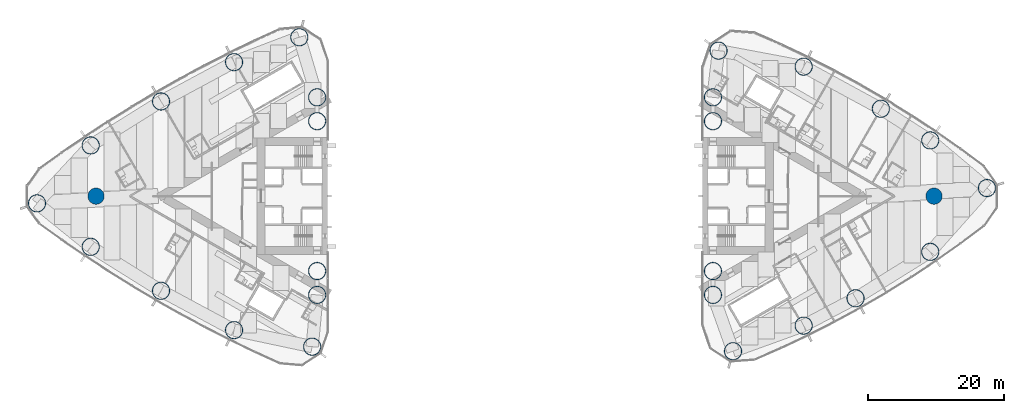
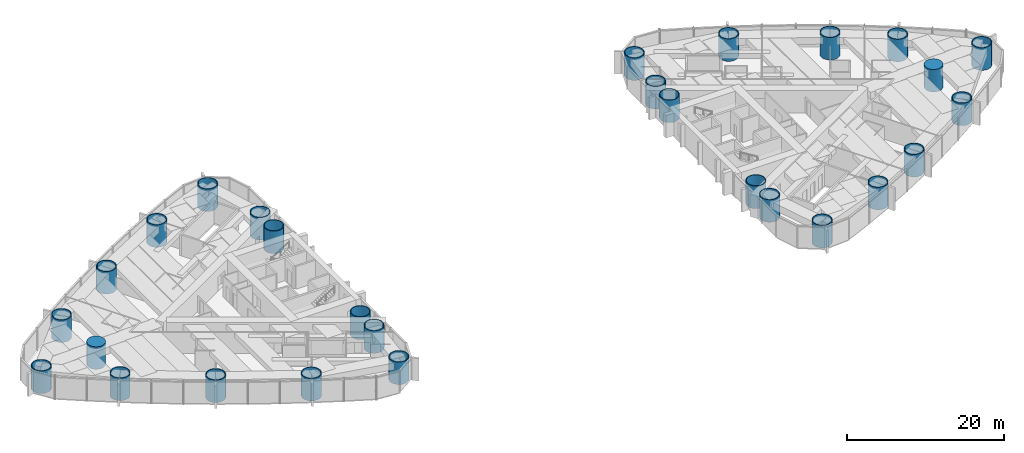
# One storey, part 1 of 19: 28 columns.
"""IFC4 building model written with IfcOpenShell, lengths in metres."""

from ifc_helpers import new_model, si_unit, direction, frame, origin, origin_2d, place, context, subcontext, project, spatial, circle, hollow_circle, extrude, material, material_profile, profile_set, type_object, element, save


model = new_model("IFC4")

# Units and contexts
model_context = context("Model", 3, precision=1e-05, world=origin(), true_north=direction((0.0, 1.0)))
body_context = subcontext(model_context, "Body", "Model", "MODEL_VIEW")
ifc_project = project(units=[si_unit("LENGTHUNIT", "METRE"), si_unit("AREAUNIT", "SQUARE_METRE"), si_unit("VOLUMEUNIT", "CUBIC_METRE"), si_unit("PLANEANGLEUNIT", "RADIAN"), si_unit("MASSUNIT", "GRAM", prefix="KILO")], contexts=[model_context])

# Site, building, storey
site_placement = place(None, origin())
site = spatial("IfcSite", under=ifc_project, at=site_placement, CompositionType="ELEMENT")
building_placement = place(site_placement, origin())
building = spatial("IfcBuilding", under=site, at=building_placement, Name="Lancet Gate Hotel", CompositionType="ELEMENT")
storey_placement = place(building_placement, frame((0.0, 0.0, 122.10009765625)))
storey = spatial("IfcBuildingStorey", under=building, at=storey_placement, Name="L32", CompositionType="ELEMENT", Elevation=122.10009765625)

# Columns
ifc_material_1 = material(Name="Concrete C80/95", Category="concrete")
ifc_material_profile_1 = material_profile(ifc_material_1, circle(Radius=1.199951171875, at=origin_2d()), Name="RC D2400")
ifc_profile_set_1 = profile_set([ifc_material_profile_1], Name="Concrete C80/95")
column_type_1 = type_object("IfcColumnType", Name="Apex column RC D2400", PredefinedType="COLUMN", material=ifc_profile_set_1)
for number, where, z_axis, x_axis, name in (
    (1, (-61.5, 0.0, 0.0), (0.0, 0.0, 1.0), (1.0, 0.0, 0.0), "T1 column AX L32"),
    (2, (61.5, 0.0, 0.0), (0.0, 0.0, 1.0), (1.0, 0.0, 0.0), "T2 column AX L32"),
):
    element("IfcColumn", number, at=place(storey_placement, frame(where, z_axis=z_axis, x_axis=x_axis)), inside=storey, type_object=column_type_1, Name=name, PredefinedType="COLUMN", context=body_context, shape_type="SweptSolid", body=[
        extrude(circle(Radius=1.199951171875, at=origin_2d()), origin(), (0.0, 0.0, 1.0), 3.5),
    ])
ifc_material_2 = material(Name="Composite filled tube, grade 460 plate, grade 80/95 fill", Category="composite")
ifc_material_profile_2 = material_profile(ifc_material_2, hollow_circle(Radius=1.300048828125, WallThickness=0.10009765625, at=origin_2d()), Name="CHS 2600x100")
ifc_profile_set_2 = profile_set([ifc_material_profile_2], Name="Composite filled tube, grade 460 plate, grade 80/95 fill")
column_type_2 = type_object("IfcColumnType", Name="Apex corner column CFT CHS 2600x100", PredefinedType="COLUMN", material=ifc_profile_set_2)
for number, where, z_axis, x_axis, name in (
    (3, (-70.16796875, -1.06005859375, 0.0), (0.0, 0.0, 1.0), (1.0, 0.0, 0.0), "T1 column CA L32"),
    (4, (69.268798828125, 1.1865234375, 0.0), (0.0, 0.0, 1.0), (1.0, 0.0, 0.0), "T2 column CA L32"),
):
    element("IfcColumn", number, at=place(storey_placement, frame(where, z_axis=z_axis, x_axis=x_axis)), inside=storey, type_object=column_type_2, Name=name, PredefinedType="COLUMN", context=body_context, shape_type="SweptSolid", body=[
        extrude(hollow_circle(Radius=1.300048828125, WallThickness=0.10009765625, at=origin_2d()), origin(), (0.0, 0.0, 1.0), 3.5),
    ])
ifc_material_3 = material(Name="Composite filled tube, grade 460 plate, grade 80/95 fill", Category="composite")
ifc_material_profile_3 = material_profile(ifc_material_3, hollow_circle(Radius=1.300048828125, WallThickness=0.10009765625, at=origin_2d()), Name="CHS 2600x100")
ifc_profile_set_3 = profile_set([ifc_material_profile_3], Name="Composite filled tube, grade 460 plate, grade 80/95 fill")
column_type_3 = type_object("IfcColumnType", Name="Perimeter column CFT CHS 2600x100", PredefinedType="COLUMN", material=ifc_profile_set_3)
for number, where, z_axis, x_axis, name in (
    (5, (-29.781005859375, -22.0947265625, 0.0), (0.0, 0.0, 1.0), (1.0, 0.0, 0.0), "T1 column CN L32"),
    (6, (-31.66455078125, 23.318359375, 0.0), (0.0, 0.0, 1.0), (1.0, 0.0, 0.0), "T1 column CS L32"),
    (7, (-29.050048828125, -11.0, 0.0), (0.0, 0.0, 1.0), (1.0, 0.0, 0.0), "T1 column IN L32"),
    (8, (-29.050048828125, 11.0, 0.0), (0.0, 0.0, 1.0), (1.0, 0.0, 0.0), "T1 column IS L32"),
    (9, (-29.050048828125, 14.5, 0.0), (0.0, 0.0, 1.0), (1.0, 0.0, 0.0), "T1 column IT L32"),
    (10, (-29.050048828125, -14.5, 0.0), (0.0, 0.0, 1.0), (1.0, 0.0, 0.0), "T1 column JT L32"),
    (11, (-62.28662109375, -7.444580078125, 0.0), (0.0, 0.0, 1.0), (1.0, 0.0, 0.0), "T1 column ON1 L32"),
    (12, (-51.963134765625, -13.89501953125, 0.0), (0.0, 0.0, 1.0), (1.0, 0.0, 0.0), "T1 column ON2 L32"),
    (13, (-41.244873046875, -19.665771484375, 0.0), (0.0, 0.0, 1.0), (1.0, 0.0, 0.0), "T1 column ON3 L32"),
    (14, (-41.244873046875, 19.665771484375, 0.0), (0.0, 0.0, 1.0), (1.0, 0.0, 0.0), "T1 column OS1 L32"),
    (15, (-51.963134765625, 13.89501953125, 0.0), (0.0, 0.0, 1.0), (1.0, 0.0, 0.0), "T1 column OS2 L32"),
    (16, (-62.28662109375, 7.444580078125, 0.0), (0.0, 0.0, 1.0), (1.0, 0.0, 0.0), "T1 column OS3 L32"),
    (17, (29.8720703125, 21.35498046875, 0.0), (0.0, 0.0, 1.0), (1.0, 0.0, 0.0), "T2 column CN L32"),
    (18, (31.99609375, -22.76318359375, 0.0), (0.0, 0.0, 1.0), (1.0, 0.0, 0.0), "T2 column CS L32"),
    (19, (29.050048828125, 11.0, 0.0), (0.0, 0.0, 1.0), (1.0, 0.0, 0.0), "T2 column IN L32"),
    (20, (29.050048828125, -11.0, 0.0), (0.0, 0.0, 1.0), (1.0, 0.0, 0.0), "T2 column IS L32"),
    (21, (29.050048828125, -14.5, 0.0), (0.0, 0.0, 1.0), (1.0, 0.0, 0.0), "T2 column IT L32"),
    (22, (29.050048828125, 14.5, 0.0), (0.0, 0.0, 1.0), (1.0, 0.0, 0.0), "T2 column JT L32"),
    (23, (60.940673828125, 8.18115234375, 0.0), (0.0, 0.0, 1.0), (1.0, 0.0, 0.0), "T2 column ON1 L32"),
    (24, (53.697021484375, 12.827392578125, 0.0), (0.0, 0.0, 1.0), (1.0, 0.0, 0.0), "T2 column ON2 L32"),
    (25, (42.3662109375, 19.007080078125, 0.0), (0.0, 0.0, 1.0), (1.0, 0.0, 0.0), "T2 column ON3 L32"),
    (26, (42.3662109375, -19.007080078125, 0.0), (0.0, 0.0, 1.0), (1.0, 0.0, 0.0), "T2 column OS1 L32"),
    (27, (49.97900390625, -14.994384765625, 0.0), (0.0, 0.0, 1.0), (1.0, 0.0, 0.0), "T2 column OS2 L32"),
    (28, (60.940673828125, -8.18115234375, 0.0), (0.0, 0.0, 1.0), (1.0, 0.0, 0.0), "T2 column OS3 L32"),
):
    element("IfcColumn", number, at=place(storey_placement, frame(where, z_axis=z_axis, x_axis=x_axis)), inside=storey, type_object=column_type_3, Name=name, PredefinedType="COLUMN", context=body_context, shape_type="SweptSolid", body=[
        extrude(hollow_circle(Radius=1.300048828125, WallThickness=0.10009765625, at=origin_2d()), origin(), (0.0, 0.0, 1.0), 3.5),
    ])

save(model, "model.ifc")
